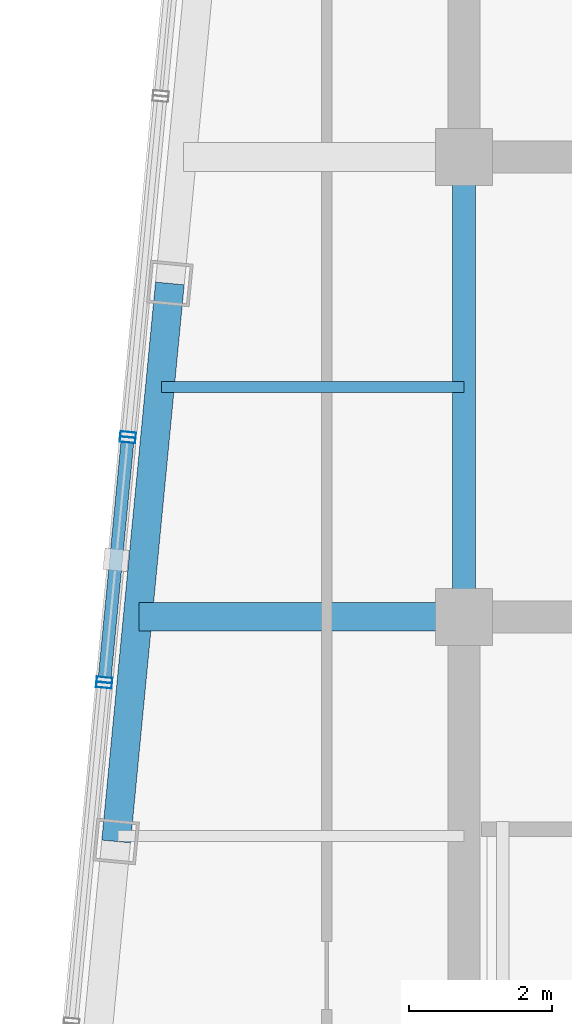
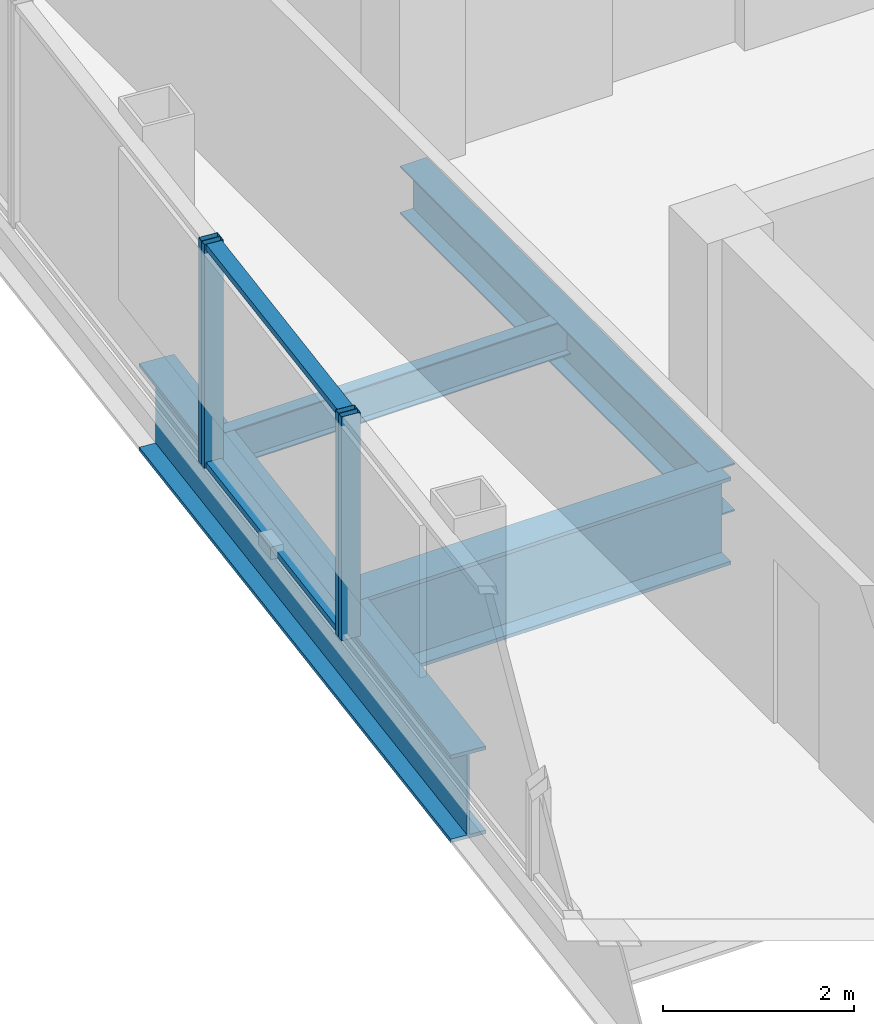
# One storey, part 7 of 22: 6 members, 4 beams, 3 elements without a shape of their own.
"""IFC4 building model written with IfcOpenShell, lengths in metres."""

import ifcopenshell
import ifcopenshell.guid

model = None  # the IFC model being written
_history = None  # IfcOwnerHistory: only IFC2X3 demands one
_inside = {}  # id of a spatial element -> (the spatial element, [elements in it])
_under = {}  # id of a project, library or spatial element -> (it, [spatial elements below it])
_declared = {}  # id of a project -> (the project, [libraries it declares])
_typed = {}  # id of a type object -> (the type object, [elements of that type])
_made_of = {}  # id of a material, layer set ... -> (it, [elements and type objects made of it])


def new_model(schema):
    """Start an empty IFC model of exactly this schema.

    Asked for "IFC4X3", IfcOpenShell would pick the latest addendum, in which some entities
    have other attributes; the version numbers below select the first issue.
    IFC2X3 requires an IfcOwnerHistory on every rooted entity: one is made here for all.
    """
    global model, _history
    if schema == "IFC4X3":
        model = ifcopenshell.file(schema_version=(4, 3, 0, 0))
    else:
        model = ifcopenshell.file(schema=schema)
    _inside.clear()
    _under.clear()
    _declared.clear()
    _typed.clear()
    _made_of.clear()
    _history = None
    if model.schema == "IFC2X3":
        org = make("IfcOrganization", Name="unknown")
        user = make(
            "IfcPersonAndOrganization",
            ThePerson=make("IfcPerson", FamilyName="unknown"),
            TheOrganization=org,
        )
        app = make(
            "IfcApplication",
            ApplicationDeveloper=org,
            Version="unknown",
            ApplicationFullName="unknown",
            ApplicationIdentifier="unknown",
        )
        _history = make(
            "IfcOwnerHistory",
            OwningUser=user,
            OwningApplication=app,
            ChangeAction="ADDED",
            CreationDate=0,
        )
    return model


def make(cls, **values):
    """One entity of the class cls with the attributes given. An attribute that is None is left unset."""
    return model.create_entity(
        cls, **{name: value for name, value in values.items() if value is not None}
    )


def rooted(cls, **values):
    """An entity with a GlobalId (a new one), such as an element, a storey or a relation."""
    return make(cls, GlobalId=ifcopenshell.guid.new(), OwnerHistory=_history, **values)


def si_unit(unit_type, name, prefix=None):
    """IfcSIUnit, for example si_unit("LENGTHUNIT", "METRE", prefix="MILLI")."""
    return make("IfcSIUnit", UnitType=unit_type, Prefix=prefix, Name=name)


def assignment(units):
    """IfcUnitAssignment: the units of a project."""
    return None if units is None else make("IfcUnitAssignment", Units=units)


def point(xyz):
    """IfcCartesianPoint."""
    return None if xyz is None else make("IfcCartesianPoint", Coordinates=xyz)


def direction(xyz):
    """IfcDirection."""
    return None if xyz is None else make("IfcDirection", DirectionRatios=xyz)


def frame(location, z_axis=None, x_axis=None):
    """IfcAxis2Placement3D, a coordinate frame: its origin and axes. An axis left out is left unset."""
    return make(
        "IfcAxis2Placement3D",
        Location=point(location),
        Axis=direction(z_axis),
        RefDirection=direction(x_axis),
    )


def frame_2d(location, x_axis=None):
    """IfcAxis2Placement2D, a coordinate frame in the plane: its origin and x axis."""
    return make(
        "IfcAxis2Placement2D", Location=point(location), RefDirection=direction(x_axis)
    )


def origin():
    """The frame at (0, 0, 0) with its axes left unset."""
    return frame((0.0, 0.0, 0.0))


def origin_2d():
    """The frame at (0, 0) in the plane with its x axis left unset."""
    return frame_2d((0.0, 0.0))


def place(relative_to, where):
    """IfcLocalPlacement: puts the frame where relative to a parent placement (None: the world)."""
    return make(
        "IfcLocalPlacement", PlacementRelTo=relative_to, RelativePlacement=where
    )


def context(
    kind, dimensions, precision=None, world=None, true_north=None, identifier=None
):
    """IfcGeometricRepresentationContext, for example the 3D "Model" context."""
    return make(
        "IfcGeometricRepresentationContext",
        ContextIdentifier=identifier,
        ContextType=kind,
        CoordinateSpaceDimension=dimensions,
        Precision=precision,
        WorldCoordinateSystem=world,
        TrueNorth=true_north,
    )


def subcontext(parent, identifier, kind, view, scale=None):
    """IfcGeometricRepresentationSubContext, for example "Body" below "Model"."""
    return make(
        "IfcGeometricRepresentationSubContext",
        ContextIdentifier=identifier,
        ContextType=kind,
        ParentContext=parent,
        TargetScale=scale,
        TargetView=view,
    )


def project(units=None, contexts=None):
    """IfcProject with its units and contexts."""
    return rooted(
        "IfcProject",
        Name="project",
        RepresentationContexts=contexts,
        UnitsInContext=assignment(units),
    )


def spatial(cls, under=None, at=None, **own):
    """A site, building, storey or space (cls), placed at a placement, below another one or the project."""
    s = rooted(cls, ObjectPlacement=at, **own)
    if under is not None:
        _under.setdefault(under.id(), (under, []))[1].append(s)
    return s


def profile(cls, at=None, kind="AREA", **sizes):
    """A parametric profile (cls). Its sizes go by their IFC names, for example OverallWidth=200.0."""
    return make(cls, ProfileType=kind, Position=at, **sizes)


def hollow_rectangle(**sizes):
    """IfcRectangleHollowProfileDef."""
    return profile("IfcRectangleHollowProfileDef", **sizes)


def i_section(**sizes):
    """IfcIShapeProfileDef."""
    return profile("IfcIShapeProfileDef", **sizes)


def extrude(swept, where, along, depth):
    """IfcExtrudedAreaSolid: the profile swept, set in the frame where, extruded along a direction by depth."""
    return make(
        "IfcExtrudedAreaSolid",
        SweptArea=swept,
        Position=where,
        ExtrudedDirection=direction(along),
        Depth=depth,
    )


def shape(context_of_items, identifier, shape_type, items):
    """IfcShapeRepresentation: the items that make up one representation, for example the "Body"."""
    return make(
        "IfcShapeRepresentation",
        ContextOfItems=context_of_items,
        RepresentationIdentifier=identifier,
        RepresentationType=shape_type,
        Items=items,
    )


def material(Name=None, Category=None):
    """IfcMaterial."""
    return make("IfcMaterial", Name=Name, Category=Category)


def layer(
    of_material, thickness, ventilated=None, Name=None, Category=None, Priority=None
):
    """IfcMaterialLayer: one layer of a wall or slab, of a material (None: an air gap)."""
    return make(
        "IfcMaterialLayer",
        Material=of_material,
        LayerThickness=thickness,
        IsVentilated=ventilated,
        Name=Name,
        Category=Category,
        Priority=Priority,
    )


def layer_set(layers, Name=None):
    """IfcMaterialLayerSet."""
    return make("IfcMaterialLayerSet", MaterialLayers=layers, LayerSetName=Name)


def material_profile(
    of_material, cross_section, Name=None, Category=None, Priority=None
):
    """IfcMaterialProfile: a cross section and its material."""
    return make(
        "IfcMaterialProfile",
        Name=Name,
        Material=of_material,
        Profile=cross_section,
        Priority=Priority,
        Category=Category,
    )


def profile_set(profiles, Name=None, composite=None):
    """IfcMaterialProfileSet."""
    return make(
        "IfcMaterialProfileSet",
        Name=Name,
        MaterialProfiles=profiles,
        CompositeProfile=composite,
    )


def made_of(thing, what):
    """Note that an element or type object is made of a material, layer set ...; save() writes the relation."""
    if what is not None:
        _made_of.setdefault(what.id(), (what, []))[1].append(thing)
    return thing


def type_object(cls, material=None, **own):
    """A type object (cls), such as IfcWallType, which elements share."""
    return made_of(rooted(cls, **own), material)


def element(
    cls,
    number,
    at=None,
    inside=None,
    cuts=None,
    type_object=None,
    material=None,
    context=None,
    identifier="Body",
    shape_type=None,
    held_by="IfcProductDefinitionShape",
    body=None,
    shapes=None,
    **own,
):
    """One element of the class cls, such as IfcWall. Its Tag is "e" and its number.

    at: its placement. inside: the storey or other place that contains it. cuts: it is an
    opening in that element (IfcRelVoidsElement). A single representation is given by context,
    identifier, shape_type and body (its items); several are given by shapes. held_by: the class
    of the entity that holds the representations. save() writes the other relations.
    """
    e = rooted(cls, Tag="e%d" % number, ObjectPlacement=at, **own)
    if body is not None:
        shapes = [shape(context, identifier, shape_type, body)]
    if shapes is not None:
        e.Representation = make(held_by, Representations=shapes)
    if inside is not None:
        _inside.setdefault(inside.id(), (inside, []))[1].append(e)
    if cuts is not None:
        rooted(
            "IfcRelVoidsElement", RelatingBuildingElement=cuts, RelatedOpeningElement=e
        )
    if type_object is not None:
        _typed.setdefault(type_object.id(), (type_object, []))[1].append(e)
    return made_of(e, material)


def aggregate(whole, parts):
    """IfcRelAggregates: a whole, such as a stair, and the parts it consists of."""
    return rooted("IfcRelAggregates", RelatingObject=whole, RelatedObjects=parts)


def save(model, path):
    """Write the relations noted so far, then the file.

    IfcRelAggregates (storeys below a building ...), IfcRelContainedInSpatialStructure (elements
    in a storey), IfcRelDefinesByType, IfcRelAssociatesMaterial and IfcRelDeclares: one each for
    every whole, place, type object, material and project.
    """
    for whole, parts in _under.values():
        aggregate(whole, parts)
    for where, things in _inside.values():
        rooted(
            "IfcRelContainedInSpatialStructure",
            RelatedElements=things,
            RelatingStructure=where,
        )
    for kind, things in _typed.values():
        rooted("IfcRelDefinesByType", RelatedObjects=things, RelatingType=kind)
    for what, things in _made_of.values():
        rooted("IfcRelAssociatesMaterial", RelatedObjects=things, RelatingMaterial=what)
    for by, libraries in _declared.values():
        rooted("IfcRelDeclares", RelatingContext=by, RelatedDefinitions=libraries)
    model.write(path)


model = new_model("IFC4")

# Units and contexts
model_context = context("Model", 3, precision=1e-05, world=origin(), true_north=direction((0.0, 1.0)))
body_context = subcontext(model_context, "Body", "Model", "MODEL_VIEW")
ifc_project = project(units=[si_unit("LENGTHUNIT", "METRE"), si_unit("AREAUNIT", "SQUARE_METRE"), si_unit("VOLUMEUNIT", "CUBIC_METRE"), si_unit("PLANEANGLEUNIT", "RADIAN"), si_unit("MASSUNIT", "GRAM", prefix="KILO")], contexts=[model_context])

# Site, building, storey
site_placement = place(None, origin())
site = spatial("IfcSite", under=ifc_project, at=site_placement, CompositionType="ELEMENT")
building_placement = place(site_placement, origin())
building = spatial("IfcBuilding", under=site, at=building_placement, Name="Qhalaya Broadcast Tower", CompositionType="ELEMENT")
storey_placement = place(building_placement, frame((0.0, 0.0, 245.89990234375)))
storey = spatial("IfcBuildingStorey", under=building, at=storey_placement, Name="L72", CompositionType="ELEMENT", Elevation=245.89990234375)

# Beams
ifc_material_1 = material(Name="Structural Steel ASTM A992 Grade 50", Category="steel")
ifc_material_profile_1 = material_profile(ifc_material_1, i_section(OverallWidth=0.154052734375, OverallDepth=0.458984375, WebThickness=0.009033203125, FlangeThickness=0.015380859375, at=origin_2d()), Name="W18X46")
ifc_profile_set_1 = profile_set([ifc_material_profile_1], Name="Structural Steel ASTM A992 Grade 50")
beam_type_1 = type_object("IfcBeamType", Name="Composite Floor Joist J04", PredefinedType="JOIST", material=ifc_profile_set_1)
beam_1_placement = place(storey_placement, frame((-13.622314453125, 0.60009765625, -0.41943359375), z_axis=(1.0, 0.0, 0.0), x_axis=(0.0, 1.0, 0.0)))
element("IfcBeam", 1, at=beam_1_placement, inside=storey, type_object=beam_type_1, Name="L72 J04 L72-JWE4W-1", PredefinedType="JOIST", context=body_context, shape_type="SweptSolid", body=[
    extrude(i_section(OverallWidth=0.154052734375, OverallDepth=0.458984375, WebThickness=0.009033203125, FlangeThickness=0.015380859375, at=origin_2d()), origin(), (0.0, 0.0, 1.0), 4.247314453125),
])
ifc_material_profile_2 = material_profile(ifc_material_1, i_section(OverallWidth=0.323974609375, OverallDepth=0.612060546875, WebThickness=0.0126953125, FlangeThickness=0.01904296875, at=origin_2d()), Name="W24X104")
ifc_profile_set_2 = profile_set([ifc_material_profile_2], Name="Structural Steel ASTM A992 Grade 50")
beam_type_2 = type_object("IfcBeamType", Name="Core Frame Tie Beam B04", PredefinedType="BEAM", material=ifc_profile_set_2)
beam_2_placement = place(storey_placement, frame((-9.375, -2.625, -0.495849609375), z_axis=(0.0, 1.0, 0.0), x_axis=(-1.0, 0.0, 0.0)))
element("IfcBeam", 2, at=beam_2_placement, inside=storey, type_object=beam_type_2, Name="L72 B04 L72-CCW", PredefinedType="BEAM", context=body_context, shape_type="SweptSolid", body=[
    extrude(i_section(OverallWidth=0.323974609375, OverallDepth=0.612060546875, WebThickness=0.0126953125, FlangeThickness=0.01904296875, at=origin_2d()), origin(), (0.0, 0.0, 1.0), 6.449951171875),
])
ifc_material_profile_3 = material_profile(ifc_material_1, i_section(OverallWidth=0.404052734375, OverallDepth=1.117919921875, WebThickness=0.026123046875, FlangeThickness=0.044921875, at=origin_2d()), Name="W44X335")
ifc_profile_set_3 = profile_set([ifc_material_profile_3], Name="Structural Steel ASTM A992 Grade 50")
beam_type_3 = type_object("IfcBeamType", Name="Podium Long-Span Primary Girder PG1", PredefinedType="USERDEFINED", material=ifc_profile_set_3)
beam_3_placement = place(storey_placement, frame((-13.50244140625, 2.052490234375, -0.7490234375), z_axis=(-0.095837184179, -0.995397023367, 0.0), x_axis=(0.995397023367, -0.095837184179, 0.0)))
element("IfcBeam", 3, at=beam_3_placement, inside=storey, type_object=beam_type_3, Name="L72 PG1 L72-SPR-14", ObjectType="GIRDER", PredefinedType="USERDEFINED", context=body_context, shape_type="SweptSolid", body=[
    extrude(i_section(OverallWidth=0.404052734375, OverallDepth=1.117919921875, WebThickness=0.026123046875, FlangeThickness=0.044921875, at=origin_2d()), origin(), (0.0, 0.0, 1.0), 7.866455078125),
])
beam_4_placement = place(storey_placement, frame((-13.9326171875, -2.625, -0.7490234375), z_axis=(1.0, 0.0, 0.0), x_axis=(0.0, 1.0, 0.0)))
element("IfcBeam", 4, at=beam_4_placement, inside=storey, type_object=beam_type_3, Name="L72 PG1 L72-PGYW2-1", ObjectType="GIRDER", PredefinedType="USERDEFINED", context=body_context, shape_type="SweptSolid", body=[
    extrude(i_section(OverallWidth=0.404052734375, OverallDepth=1.117919921875, WebThickness=0.026123046875, FlangeThickness=0.044921875, at=origin_2d()), origin(), (0.0, 0.0, 1.0), 4.5576171875),
])

# Curtain wall, member
ifc_material_2 = material(Name="Fired Architectural Terracotta", Category="masonry")
ifc_layer_1 = layer(ifc_material_2, 0.219970703125, Name="Fired Architectural Terracotta")
ifc_layer_set_1 = layer_set([ifc_layer_1], Name="Fired Architectural Terracotta")
curtain_wall_type_1 = type_object("IfcCurtainWallType", Name="Block-Cap Unitised Terracotta Spandrel Wall CW-07", PredefinedType="NOTDEFINED", material=ifc_layer_set_1)
curtain_wall_1_placement = place(storey_placement, origin())
curtain_wall_1 = element("IfcCurtainWall", 5, at=curtain_wall_1_placement, inside=storey, type_object=curtain_wall_type_1, Name="L72 Unitised Curtain Wall L72-CW-W3", PredefinedType="NOTDEFINED")
ifc_material_3 = material(Name="Anodised Aluminium 6063-T6", Category="aluminium")
ifc_material_profile_4 = material_profile(ifc_material_3, hollow_rectangle(XDim=0.074951171875, YDim=0.219970703125, WallThickness=0.00390625, at=origin_2d()), Name="ALU-MUL 75x220x4")
ifc_profile_set_4 = profile_set([ifc_material_profile_4], Name="Anodised Aluminium 6063-T6")
member_type_1 = type_object("IfcMemberType", Name="Unitised Curtain-Wall Mullion M01", PredefinedType="MULLION", material=ifc_profile_set_4)
member_1_placement = place(storey_placement, frame((-14.08837890625, -0.06787109375, 0.0), z_axis=(0.0, 0.0, 1.0), x_axis=(-0.095862212639, -0.995394613301, 0.0)))
member_1 = element("IfcMember", 6, at=member_1_placement, type_object=member_type_1, Name="CW-07 mullion 2", PredefinedType="MULLION", context=body_context, shape_type="SweptSolid", body=[
    extrude(hollow_rectangle(XDim=0.074951171875, YDim=0.219970703125, WallThickness=0.00390625, at=origin_2d()), origin(), (0.0, 0.0, 1.0), 2.860107421875),
])
aggregate(curtain_wall_1, [member_1])

# Curtain wall, members
ifc_material_4 = material(Name="Solar-Control Low-E Triple Glazing", Category="glass")
ifc_layer_2 = layer(ifc_material_4, 0.219970703125, Name="Solar-Control Low-E Triple Glazing")
ifc_layer_set_2 = layer_set([ifc_layer_2], Name="Solar-Control Low-E Triple Glazing")
curtain_wall_type_2 = type_object("IfcCurtainWallType", Name="High-Altitude Upper-Shaft Triple Low-E Curtain Wall CW-04", PredefinedType="NOTDEFINED", material=ifc_layer_set_2)
curtain_wall_2_placement = place(storey_placement, origin())
curtain_wall_2 = element("IfcCurtainWall", 7, at=curtain_wall_2_placement, inside=storey, type_object=curtain_wall_type_2, Name="L72 Unitised Curtain Wall L72-CW-W4", PredefinedType="NOTDEFINED")
member_2_placement = place(storey_placement, frame((-14.095703125, -0.142578125, 0.0), z_axis=(0.0, 0.0, 1.0), x_axis=(-0.095835284901, -0.995397206229, 0.0)))
member_2 = element("IfcMember", 8, at=member_2_placement, type_object=member_type_1, Name="CW-04 mullion 1", PredefinedType="MULLION", context=body_context, shape_type="SweptSolid", body=[
    extrude(hollow_rectangle(XDim=0.074951171875, YDim=0.219970703125, WallThickness=0.00390625, at=origin_2d()), origin(), (0.0, 0.0, 1.0), 2.860107421875),
])
member_3_placement = place(storey_placement, frame((-14.419921875, -3.510009765625, 0.0), z_axis=(0.0, 0.0, 1.0), x_axis=(-0.095835284901, -0.995397206229, 0.0)))
member_3 = element("IfcMember", 9, at=member_3_placement, type_object=member_type_1, Name="CW-04 mullion 2", PredefinedType="MULLION", context=body_context, shape_type="SweptSolid", body=[
    extrude(hollow_rectangle(XDim=0.074951171875, YDim=0.219970703125, WallThickness=0.00390625, at=origin_2d()), origin(), (0.0, 0.0, 1.0), 2.860107421875),
])

# Curtain wall, member
curtain_wall_3_placement = place(storey_placement, origin())
curtain_wall_3 = element("IfcCurtainWall", 10, at=curtain_wall_3_placement, inside=storey, type_object=curtain_wall_type_1, Name="L72 Unitised Curtain Wall L72-CW-W5", PredefinedType="NOTDEFINED")
member_4_placement = place(storey_placement, frame((-14.427001953125, -3.584716796875, 0.0), z_axis=(0.0, 0.0, 1.0), x_axis=(-0.095860228044, -0.995394804427, 0.0)))
member_4 = element("IfcMember", 11, at=member_4_placement, type_object=member_type_1, Name="CW-07 mullion 1", PredefinedType="MULLION", context=body_context, shape_type="SweptSolid", body=[
    extrude(hollow_rectangle(XDim=0.074951171875, YDim=0.219970703125, WallThickness=0.00390625, at=origin_2d()), origin(), (0.0, 0.0, 1.0), 2.860107421875),
])
aggregate(curtain_wall_3, [member_4])

# Member
ifc_material_profile_5 = material_profile(ifc_material_3, hollow_rectangle(XDim=0.074951171875, YDim=0.179931640625, WallThickness=0.00390625, at=origin_2d()), Name="ALU-TRN 75x180x4")
ifc_profile_set_5 = profile_set([ifc_material_profile_5], Name="Anodised Aluminium 6063-T6")
member_type_2 = type_object("IfcMemberType", Name="Unitised Curtain-Wall Transom T01", PredefinedType="USERDEFINED", material=ifc_profile_set_5)
member_5_placement = place(storey_placement, frame((-14.09912109375, -0.179931640625, 0.03759765625), z_axis=(-0.095871317829, -0.995393736377, 0.0), x_axis=(0.0, 0.0, 1.0)))
member_5 = element("IfcMember", 12, at=member_5_placement, type_object=member_type_2, Name="CW-04 transom 1.1", ObjectType="TRANSOM", PredefinedType="USERDEFINED", context=body_context, shape_type="SweptSolid", body=[
    extrude(hollow_rectangle(XDim=0.074951171875, YDim=0.179931640625, WallThickness=0.00390625, at=origin_2d()), origin(), (0.0, 0.0, 1.0), 3.307861328125),
])

member_6_placement = place(storey_placement, frame((-14.09912109375, -0.179931640625, 2.822509765625), z_axis=(-0.095871317829, -0.995393736377, 0.0), x_axis=(0.0, 0.0, 1.0)))
member_6 = element("IfcMember", 13, at=member_6_placement, type_object=member_type_2, Name="CW-04 transom 1.2", ObjectType="TRANSOM", PredefinedType="USERDEFINED", context=body_context, shape_type="SweptSolid", body=[
    extrude(hollow_rectangle(XDim=0.074951171875, YDim=0.179931640625, WallThickness=0.00390625, at=origin_2d()), origin(), (0.0, 0.0, 1.0), 3.307861328125),
])

aggregate(curtain_wall_2, [member_2, member_3, member_5, member_6])

save(model, "model.ifc")
